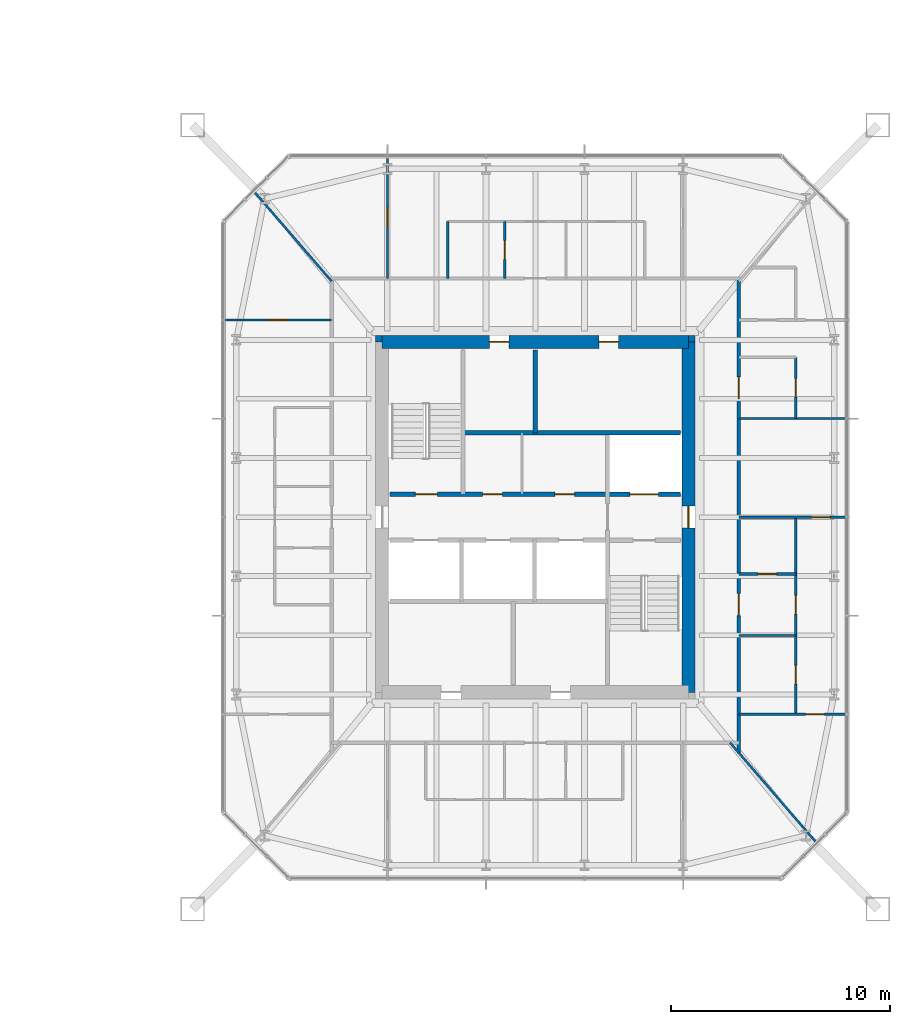
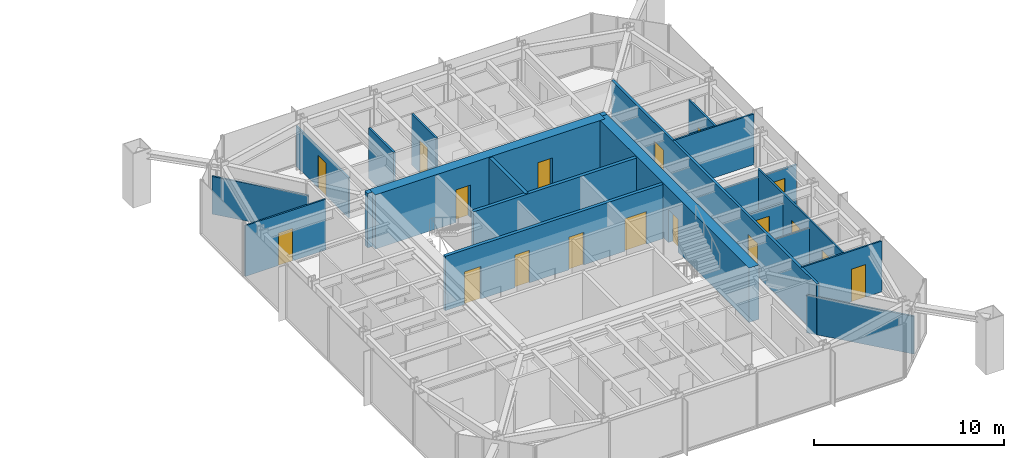
# One storey, part 18 of 25: 21 walls, 18 doors, 18 openings.
"""IFC4 building model written with IfcOpenShell, lengths in metres."""

from ifc_helpers import new_model, si_unit, direction, frame, frame_2d, origin, place, context, subcontext, project, spatial, rectangle, extrude, material, layer, layer_set, type_object, element, fill, save


model = new_model("IFC4")

# Units and contexts
model_context = context("Model", 3, precision=1e-05, world=origin(), true_north=direction((0.0, 1.0)))
body_context = subcontext(model_context, "Body", "Model", "MODEL_VIEW")
ifc_project = project(units=[si_unit("LENGTHUNIT", "METRE"), si_unit("AREAUNIT", "SQUARE_METRE"), si_unit("VOLUMEUNIT", "CUBIC_METRE"), si_unit("PLANEANGLEUNIT", "RADIAN"), si_unit("MASSUNIT", "GRAM", prefix="KILO")], contexts=[model_context])

# Site, building, storey
site_placement = place(None, origin())
site = spatial("IfcSite", under=ifc_project, at=site_placement, CompositionType="ELEMENT")
building_placement = place(site_placement, origin())
building = spatial("IfcBuilding", under=site, at=building_placement, Name="Iwan Alto Co-Living Towers", CompositionType="ELEMENT")
storey_placement = place(building_placement, frame((0.0, 0.0, 105.0)))
storey = spatial("IfcBuildingStorey", under=building, at=storey_placement, Name="L28", CompositionType="ELEMENT", Elevation=105.0)

# Wall, openings, doors
ifc_material_1 = material(Name="Gypsum board")
ifc_layer_1 = layer(ifc_material_1, 0.02490234375, Name="Board", Category="Finish")
ifc_material_2 = material(Name="Steel ASTM A1003 ST33H cold-formed studs", Category="steel")
ifc_layer_2 = layer(ifc_material_2, 0.10009765625, Name="Studs", Category="Framing")
ifc_layer_3 = layer(ifc_material_1, 0.02490234375, Name="Board", Category="Finish")
ifc_layer_set_1 = layer_set([ifc_layer_1, ifc_layer_2, ifc_layer_3], Name="CORRIDOR WALL 150")
wall_type_1 = type_object("IfcWallType", Name="CORRIDOR WALL 150", PredefinedType="PARTITIONING", material=ifc_layer_set_1)
wall_1_placement = place(storey_placement, frame((72.300048828125, -10.76806640625, 0.0), z_axis=(0.0, 0.0, 1.0), x_axis=(0.0, 1.0, 0.0)))
wall_1 = element("IfcWall", 1, at=wall_1_placement, inside=storey, type_object=wall_type_1, Name="Partition L28", PredefinedType="PARTITIONING", context=body_context, shape_type="SweptSolid", body=[
    extrude(rectangle(XDim=21.66796875, YDim=0.14990234375, at=frame_2d((10.833984375, 0.0))), origin(), (0.0, 0.0, 1.0), 3.27001953125),
])
opening_1_placement = place(wall_1_placement, frame((6.26806640625, 0.0, 0.0)))
opening_1 = element("IfcOpeningElement", 2, at=opening_1_placement, cuts=wall_1, Name="Opening D3", PredefinedType="OPENING", context=body_context, shape_type="SweptSolid", body=[
    extrude(rectangle(XDim=1.0, YDim=2.10009765625, at=frame_2d((0.5, 1.050048828125))), frame((0.0, 0.0849609375, 0.0), z_axis=(0.0, -1.0, 0.0), x_axis=(1.0, 0.0, 0.0)), (0.0, 0.0, 1.0), 0.169921875),
])
opening_2_placement = place(wall_1_placement, frame((16.16796875, 0.0, 0.0)))
opening_2 = element("IfcOpeningElement", 3, at=opening_2_placement, cuts=wall_1, Name="Opening D3", PredefinedType="OPENING", context=body_context, shape_type="SweptSolid", body=[
    extrude(rectangle(XDim=1.0, YDim=2.10009765625, at=frame_2d((0.5, 1.050048828125))), frame((0.0, 0.0849609375, 0.0), z_axis=(0.0, -1.0, 0.0), x_axis=(1.0, 0.0, 0.0)), (0.0, 0.0, 1.0), 0.169921875),
])
ifc_material_3 = material(Name="Steel frame with timber leaf", Category="steel")
door_type_1 = type_object("IfcDoorType", Name="FLAT ENTRANCE DOOR FD30S 1000X2100", OperationType="SINGLE_SWING_LEFT", PredefinedType="DOOR", material=ifc_material_3)
door_1_placement = place(opening_1_placement, frame((1.0, 0.0, 0.0), z_axis=(0.0, 0.0, 1.0), x_axis=(-1.0, 0.0, 0.0)))
door_1 = element("IfcDoor", 4, at=door_1_placement, inside=storey, type_object=door_type_1, Name="Apartment foyer door L28", OperationType="SINGLE_SWING_RIGHT", OverallHeight=2.10009765625, OverallWidth=1.0, PredefinedType="DOOR", context=body_context, shape_type="SweptSolid", body=[
    extrude(rectangle(XDim=1.0, YDim=2.10009765625, at=frame_2d((0.5, 1.050048828125))), frame((0.0, 0.02490234375, 0.0), z_axis=(0.0, -1.0, 0.0), x_axis=(1.0, 0.0, 0.0)), (0.0, 0.0, 1.0), 0.050048828125),
])
fill(opening_1, door_1)
door_2_placement = place(opening_2_placement, frame((1.0, 0.0, 0.0), z_axis=(0.0, 0.0, 1.0), x_axis=(-1.0, 0.0, 0.0)))
door_2 = element("IfcDoor", 5, at=door_2_placement, inside=storey, type_object=door_type_1, Name="Apartment foyer door L28", OperationType="SINGLE_SWING_RIGHT", OverallHeight=2.10009765625, OverallWidth=1.0, PredefinedType="DOOR", context=body_context, shape_type="SweptSolid", body=[
    extrude(rectangle(XDim=1.0, YDim=2.10009765625, at=frame_2d((0.5, 1.050048828125))), frame((0.0, 0.02490234375, 0.0), z_axis=(0.0, -1.0, 0.0), x_axis=(1.0, 0.0, 0.0)), (0.0, 0.0, 1.0), 0.050048828125),
])
fill(opening_2, door_2)

# Wall, opening, door
ifc_layer_4 = layer(ifc_material_1, 0.012451171875, Name="Board", Category="Finish")
ifc_layer_5 = layer(ifc_material_2, 0.074951171875, Name="Studs", Category="Framing")
ifc_layer_6 = layer(ifc_material_1, 0.012451171875, Name="Board", Category="Finish")
ifc_layer_set_2 = layer_set([ifc_layer_4, ifc_layer_5, ifc_layer_6], Name="PARTITION 100")
wall_type_2 = type_object("IfcWallType", Name="PARTITION 100", PredefinedType="PARTITIONING", material=ifc_layer_set_2)
wall_2_placement = place(storey_placement, frame((72.300048828125, -9.0, 0.0), z_axis=(0.0, 0.0, 1.0), x_axis=(1.0, 0.0, 0.0)))
wall_2 = element("IfcWall", 6, at=wall_2_placement, inside=storey, type_object=wall_type_2, Name="Partition L28", PredefinedType="PARTITIONING", context=body_context, shape_type="SweptSolid", body=[
    extrude(rectangle(XDim=4.889892578125, YDim=0.10009765625, at=frame_2d((2.44482421875, 0.0))), origin(), (0.0, 0.0, 1.0), 3.27001953125),
])
opening_3_placement = place(wall_2_placement, frame((3.050048828125, 0.0, 0.0)))
opening_3 = element("IfcOpeningElement", 7, at=opening_3_placement, cuts=wall_2, Name="Opening D2", PredefinedType="OPENING", context=body_context, shape_type="SweptSolid", body=[
    extrude(rectangle(XDim=0.85009765625, YDim=2.10009765625, at=frame_2d((0.425048828125, 1.050048828125))), frame((0.0, 0.06005859375, 0.0), z_axis=(0.0, -1.0, 0.0), x_axis=(1.0, 0.0, 0.0)), (0.0, 0.0, 1.0), 0.1201171875),
])
ifc_material_4 = material(Name="Timber leaf in steel frame", Category="steel")
door_type_2 = type_object("IfcDoorType", Name="ROOM DOOR 850X2100", OperationType="SINGLE_SWING_LEFT", PredefinedType="DOOR", material=ifc_material_4)
door_3_placement = place(opening_3_placement, frame((0.85009765625, 0.0, 0.0), z_axis=(0.0, 0.0, 1.0), x_axis=(-1.0, 0.0, 0.0)))
door_3 = element("IfcDoor", 8, at=door_3_placement, inside=storey, type_object=door_type_2, Name="Bedroom door L28", OperationType="SINGLE_SWING_LEFT", OverallHeight=2.10009765625, OverallWidth=0.85009765625, PredefinedType="DOOR", context=body_context, shape_type="SweptSolid", body=[
    extrude(rectangle(XDim=0.85009765625, YDim=2.10009765625, at=frame_2d((0.425048828125, 1.050048828125))), frame((0.0, 0.02490234375, 0.0), z_axis=(0.0, -1.0, 0.0), x_axis=(1.0, 0.0, 0.0)), (0.0, 0.0, 1.0), 0.050048828125),
])
fill(opening_3, door_3)

# Walls
wall_3_placement = place(storey_placement, frame((72.300048828125, -5.39990234375, 0.0), z_axis=(0.0, 0.0, 1.0), x_axis=(1.0, 0.0, 0.0)))
element("IfcWall", 9, at=wall_3_placement, inside=storey, type_object=wall_type_2, Name="Partition L28", PredefinedType="PARTITIONING", context=body_context, shape_type="SweptSolid", body=[
    extrude(rectangle(XDim=2.599853515625, YDim=0.10009765625, at=frame_2d((1.2998046875, 0.0))), origin(), (0.0, 0.0, 1.0), 2.736572265625),
])
wall_4_placement = place(storey_placement, frame((72.300048828125, 4.5, 0.0), z_axis=(0.0, 0.0, 1.0), x_axis=(1.0, 0.0, 0.0)))
element("IfcWall", 10, at=wall_4_placement, inside=storey, type_object=wall_type_2, Name="Partition L28", PredefinedType="PARTITIONING", context=body_context, shape_type="SweptSolid", body=[
    extrude(rectangle(XDim=4.889892578125, YDim=0.10009765625, at=frame_2d((2.44482421875, 0.0))), origin(), (0.0, 0.0, 1.0), 3.27001953125),
])

# Wall, opening, door
wall_5_placement = place(storey_placement, frame((48.81005859375, 9.0, 0.0), z_axis=(0.0, 0.0, 1.0), x_axis=(1.0, 0.0, 0.0)))
wall_5 = element("IfcWall", 11, at=wall_5_placement, inside=storey, type_object=wall_type_2, Name="Partition L28", PredefinedType="PARTITIONING", context=body_context, shape_type="SweptSolid", body=[
    extrude(rectangle(XDim=4.889892578125, YDim=0.10009765625, at=frame_2d((2.44482421875, 0.0))), origin(), (0.0, 0.0, 1.0), 3.27001953125),
])
opening_4_placement = place(wall_5_placement, frame((2.02001953125, 0.0, 0.0)))
opening_4 = element("IfcOpeningElement", 12, at=opening_4_placement, cuts=wall_5, Name="Opening D2", PredefinedType="OPENING", context=body_context, shape_type="SweptSolid", body=[
    extrude(rectangle(XDim=0.85009765625, YDim=2.10009765625, at=frame_2d((0.425048828125, 1.050048828125))), frame((0.0, 0.06005859375, 0.0), z_axis=(0.0, -1.0, 0.0), x_axis=(1.0, 0.0, 0.0)), (0.0, 0.0, 1.0), 0.1201171875),
])
door_4_placement = place(opening_4_placement, frame((0.85009765625, 0.0, 0.0), z_axis=(0.0, 0.0, 1.0), x_axis=(-1.0, 0.0, 0.0)))
door_4 = element("IfcDoor", 13, at=door_4_placement, inside=storey, type_object=door_type_2, Name="Bedroom door L28", OperationType="SINGLE_SWING_LEFT", OverallHeight=2.10009765625, OverallWidth=0.85009765625, PredefinedType="DOOR", context=body_context, shape_type="SweptSolid", body=[
    extrude(rectangle(XDim=0.85009765625, YDim=2.10009765625, at=frame_2d((0.425048828125, 1.050048828125))), frame((0.0, 0.02490234375, 0.0), z_axis=(0.0, -1.0, 0.0), x_axis=(1.0, 0.0, 0.0)), (0.0, 0.0, 1.0), 0.050048828125),
])
fill(opening_4, door_4)

# Wall, openings, doors
wall_6_placement = place(storey_placement, frame((74.89990234375, -9.0, 0.0), z_axis=(0.0, 0.0, 1.0), x_axis=(0.0, 1.0, 0.0)))
wall_6 = element("IfcWall", 14, at=wall_6_placement, inside=storey, type_object=wall_type_2, Name="Partition L28", PredefinedType="PARTITIONING", context=body_context, shape_type="SweptSolid", body=[
    extrude(rectangle(XDim=9.0, YDim=0.10009765625, at=frame_2d((4.5, 0.0))), origin(), (0.0, 0.0, 1.0), 3.27001953125),
])
opening_5_placement = place(wall_6_placement, frame((1.375, 0.0, 0.0)))
opening_5 = element("IfcOpeningElement", 15, at=opening_5_placement, cuts=wall_6, Name="Opening D2", PredefinedType="OPENING", context=body_context, shape_type="SweptSolid", body=[
    extrude(rectangle(XDim=0.85009765625, YDim=2.10009765625, at=frame_2d((0.425048828125, 1.050048828125))), frame((0.0, 0.06005859375, 0.0), z_axis=(0.0, -1.0, 0.0), x_axis=(1.0, 0.0, 0.0)), (0.0, 0.0, 1.0), 0.1201171875),
])
opening_6_placement = place(wall_6_placement, frame((4.574951171875, 0.0, 0.0)))
opening_6 = element("IfcOpeningElement", 16, at=opening_6_placement, cuts=wall_6, Name="Opening D2", PredefinedType="OPENING", context=body_context, shape_type="SweptSolid", body=[
    extrude(rectangle(XDim=0.85009765625, YDim=2.10009765625, at=frame_2d((0.425048828125, 1.050048828125))), frame((0.0, 0.06005859375, 0.0), z_axis=(0.0, -1.0, 0.0), x_axis=(1.0, 0.0, 0.0)), (0.0, 0.0, 1.0), 0.1201171875),
])
door_5_placement = place(opening_5_placement, frame((0.85009765625, 0.0, 0.0), z_axis=(0.0, 0.0, 1.0), x_axis=(-1.0, 0.0, 0.0)))
door_5 = element("IfcDoor", 17, at=door_5_placement, inside=storey, type_object=door_type_2, Name="Kitchen door L28", OperationType="SINGLE_SWING_RIGHT", OverallHeight=2.10009765625, OverallWidth=0.85009765625, PredefinedType="DOOR", context=body_context, shape_type="SweptSolid", body=[
    extrude(rectangle(XDim=0.85009765625, YDim=2.10009765625, at=frame_2d((0.425048828125, 1.050048828125))), frame((0.0, 0.02490234375, 0.0), z_axis=(0.0, -1.0, 0.0), x_axis=(1.0, 0.0, 0.0)), (0.0, 0.0, 1.0), 0.050048828125),
])
fill(opening_5, door_5)
door_6_placement = place(opening_6_placement, frame((0.85009765625, 0.0, 0.0), z_axis=(0.0, 0.0, 1.0), x_axis=(-1.0, 0.0, 0.0)))
door_6 = element("IfcDoor", 18, at=door_6_placement, inside=storey, type_object=door_type_2, Name="Apartment foyer door L28", OperationType="SINGLE_SWING_LEFT", OverallHeight=2.10009765625, OverallWidth=0.85009765625, PredefinedType="DOOR", context=body_context, shape_type="SweptSolid", body=[
    extrude(rectangle(XDim=0.85009765625, YDim=2.10009765625, at=frame_2d((0.425048828125, 1.050048828125))), frame((0.0, 0.02490234375, 0.0), z_axis=(0.0, -1.0, 0.0), x_axis=(1.0, 0.0, 0.0)), (0.0, 0.0, 1.0), 0.050048828125),
])
fill(opening_6, door_6)

# Wall, opening, door
wall_7_placement = place(storey_placement, frame((74.89990234375, 4.5, 0.0), z_axis=(0.0, 0.0, 1.0), x_axis=(0.0, 1.0, 0.0)))
wall_7 = element("IfcWall", 19, at=wall_7_placement, inside=storey, type_object=wall_type_2, Name="Partition L28", PredefinedType="PARTITIONING", context=body_context, shape_type="SweptSolid", body=[
    extrude(rectangle(XDim=2.800048828125, YDim=0.10009765625, at=frame_2d((1.39990234375, 0.0))), origin(), (0.0, 0.0, 1.0), 3.27001953125),
])
opening_7_placement = place(wall_7_placement, frame((0.97509765625, 0.0, 0.0)))
opening_7 = element("IfcOpeningElement", 20, at=opening_7_placement, cuts=wall_7, Name="Opening D2", PredefinedType="OPENING", context=body_context, shape_type="SweptSolid", body=[
    extrude(rectangle(XDim=0.85009765625, YDim=2.10009765625, at=frame_2d((0.425048828125, 1.050048828125))), frame((0.0, 0.06005859375, 0.0), z_axis=(0.0, -1.0, 0.0), x_axis=(1.0, 0.0, 0.0)), (0.0, 0.0, 1.0), 0.1201171875),
])
door_7_placement = place(opening_7_placement, frame((0.85009765625, 0.0, 0.0), z_axis=(0.0, 0.0, 1.0), x_axis=(-1.0, 0.0, 0.0)))
door_7 = element("IfcDoor", 21, at=door_7_placement, inside=storey, type_object=door_type_2, Name="Apartment foyer door L28", OperationType="SINGLE_SWING_RIGHT", OverallHeight=2.10009765625, OverallWidth=0.85009765625, PredefinedType="DOOR", context=body_context, shape_type="SweptSolid", body=[
    extrude(rectangle(XDim=0.85009765625, YDim=2.10009765625, at=frame_2d((0.425048828125, 1.050048828125))), frame((0.0, 0.02490234375, 0.0), z_axis=(0.0, -1.0, 0.0), x_axis=(1.0, 0.0, 0.0)), (0.0, 0.0, 1.0), 0.050048828125),
])
fill(opening_7, door_7)

wall_8_placement = place(storey_placement, frame((56.25, 10.89990234375, 0.0), z_axis=(0.0, 0.0, 1.0), x_axis=(0.0, 1.0, 0.0)))
wall_8 = element("IfcWall", 22, at=wall_8_placement, inside=storey, type_object=wall_type_2, Name="Partition L28", PredefinedType="PARTITIONING", context=body_context, shape_type="SweptSolid", body=[
    extrude(rectangle(XDim=5.5400390625, YDim=0.10009765625, at=frame_2d((2.77001953125, 0.0))), origin(), (0.0, 0.0, 1.0), 2.586669921875),
])
opening_8_placement = place(wall_8_placement, frame((2.344970703125, 0.0, 0.0)))
opening_8 = element("IfcOpeningElement", 23, at=opening_8_placement, cuts=wall_8, Name="Opening D2", PredefinedType="OPENING", context=body_context, shape_type="SweptSolid", body=[
    extrude(rectangle(XDim=0.85009765625, YDim=2.10009765625, at=frame_2d((0.425048828125, 1.050048828125))), frame((0.0, 0.06005859375, 0.0), z_axis=(0.0, -1.0, 0.0), x_axis=(1.0, 0.0, 0.0)), (0.0, 0.0, 1.0), 0.1201171875),
])
door_8_placement = place(opening_8_placement, frame((0.85009765625, 0.0, 0.0), z_axis=(0.0, 0.0, 1.0), x_axis=(-1.0, 0.0, 0.0)))
door_8 = element("IfcDoor", 24, at=door_8_placement, inside=storey, type_object=door_type_2, Name="Bedroom door L28", OperationType="SINGLE_SWING_RIGHT", OverallHeight=2.10009765625, OverallWidth=0.85009765625, PredefinedType="DOOR", context=body_context, shape_type="SweptSolid", body=[
    extrude(rectangle(XDim=0.85009765625, YDim=2.10009765625, at=frame_2d((0.425048828125, 1.050048828125))), frame((0.0, 0.02490234375, 0.0), z_axis=(0.0, -1.0, 0.0), x_axis=(1.0, 0.0, 0.0)), (0.0, 0.0, 1.0), 0.050048828125),
])
fill(opening_8, door_8)

# Walls
wall_9_placement = place(storey_placement, frame((53.700927734375, 10.76806640625, 0.0), z_axis=(0.0, 0.0, 1.0), x_axis=(-0.653623410225, 0.756819950586, 0.0)))
element("IfcWall", 25, at=wall_9_placement, inside=storey, type_object=wall_type_2, Name="Partition L28", PredefinedType="PARTITIONING", context=body_context, shape_type="SweptSolid", body=[
    extrude(rectangle(XDim=5.386962890625, YDim=0.10009765625, at=frame_2d((2.693359375, 0.0))), origin(), (0.0, 0.0, 1.0), 2.42919921875),
])
wall_10_placement = place(storey_placement, frame((75.821044921875, -14.843994140625, 0.0), z_axis=(0.0, 0.0, 1.0), x_axis=(-0.65378286253, 0.756682211144, 0.0)))
element("IfcWall", 26, at=wall_10_placement, inside=storey, type_object=wall_type_2, Name="Partition L28", PredefinedType="PARTITIONING", context=body_context, shape_type="SweptSolid", body=[
    extrude(rectangle(XDim=6.005126953125, YDim=0.10009765625, at=frame_2d((3.00244140625, 0.0))), origin(), (0.0, 0.0, 1.0), 2.42919921875),
])

# Wall, openings, doors
ifc_material_5 = material(Name="Concrete f'c 70 MPa", Category="concrete")
ifc_layer_7 = layer(ifc_material_5, 0.199951171875)
ifc_layer_set_3 = layer_set([ifc_layer_7], Name="SHAFT WALL 200")
wall_type_3 = type_object("IfcWallType", Name="SHAFT WALL 200", PredefinedType="SOLIDWALL", material=ifc_layer_set_3)
wall_11_placement = place(storey_placement, frame((56.360107421875, 1.050048828125, 0.0), z_axis=(0.0, 0.0, 1.0), x_axis=(1.0, 0.0, 0.0)))
wall_11 = element("IfcWall", 27, at=wall_11_placement, inside=storey, type_object=wall_type_3, Name="Shaft wall L28", PredefinedType="SOLIDWALL", context=body_context, shape_type="SweptSolid", body=[
    extrude(rectangle(XDim=13.27978515625, YDim=0.199951171875, at=frame_2d((6.639892578125, 0.0))), origin(), (0.0, 0.0, 1.0), 3.5),
])
opening_9_placement = place(wall_11_placement, frame((1.169921875, 0.0, 0.0)))
opening_9 = element("IfcOpeningElement", 28, at=opening_9_placement, cuts=wall_11, Name="Opening D5", PredefinedType="OPENING", context=body_context, shape_type="SweptSolid", body=[
    extrude(rectangle(XDim=1.0, YDim=2.10009765625, at=frame_2d((0.5, 1.050048828125))), frame((0.0, 0.10986328125, 0.0), z_axis=(0.0, -1.0, 0.0), x_axis=(1.0, 0.0, 0.0)), (0.0, 0.0, 1.0), 0.219970703125),
])
opening_10_placement = place(wall_11_placement, frame((7.5400390625, 0.0, 0.0)))
opening_10 = element("IfcOpeningElement", 29, at=opening_10_placement, cuts=wall_11, Name="Opening D8", PredefinedType="OPENING", context=body_context, shape_type="SweptSolid", body=[
    extrude(rectangle(XDim=0.89990234375, YDim=2.10009765625, at=frame_2d((0.449951171875, 1.050048828125))), frame((0.0, 0.10986328125, 0.0), z_axis=(0.0, -1.0, 0.0), x_axis=(1.0, 0.0, 0.0)), (0.0, 0.0, 1.0), 0.219970703125),
])
opening_11_placement = place(wall_11_placement, frame((4.239990234375, 0.0, 0.0)))
opening_11 = element("IfcOpeningElement", 30, at=opening_11_placement, cuts=wall_11, Name="Opening D15", PredefinedType="OPENING", context=body_context, shape_type="SweptSolid", body=[
    extrude(rectangle(XDim=0.89990234375, YDim=2.10009765625, at=frame_2d((0.449951171875, 1.050048828125))), frame((0.0, 0.10986328125, 0.0), z_axis=(0.0, -1.0, 0.0), x_axis=(1.0, 0.0, 0.0)), (0.0, 0.0, 1.0), 0.219970703125),
])
opening_12_placement = place(wall_11_placement, frame((10.9599609375, 0.0, 0.0)))
opening_12 = element("IfcOpeningElement", 31, at=opening_12_placement, cuts=wall_11, Name="Opening LD2", PredefinedType="OPENING", context=body_context, shape_type="SweptSolid", body=[
    extrude(rectangle(XDim=1.300048828125, YDim=2.10009765625, at=frame_2d((0.64990234375, 1.050048828125))), frame((0.0, 0.10986328125, 0.0), z_axis=(0.0, -1.0, 0.0), x_axis=(1.0, 0.0, 0.0)), (0.0, 0.0, 1.0), 0.219970703125),
])
ifc_material_6 = material(Name="Steel frame with timber leaf", Category="steel")
door_type_3 = type_object("IfcDoorType", Name="CORE ROOM DOOR FD60S 900X2100", OperationType="SINGLE_SWING_LEFT", PredefinedType="DOOR", material=ifc_material_6)
door_9_placement = place(opening_11_placement, origin())
door_9 = element("IfcDoor", 32, at=door_9_placement, inside=storey, type_object=door_type_3, Name="IT room door L28", OperationType="SINGLE_SWING_LEFT", OverallHeight=2.10009765625, OverallWidth=0.89990234375, PredefinedType="DOOR", context=body_context, shape_type="SweptSolid", body=[
    extrude(rectangle(XDim=0.89990234375, YDim=2.10009765625, at=frame_2d((0.449951171875, 1.050048828125))), frame((0.0, 0.02490234375, 0.0), z_axis=(0.0, -1.0, 0.0), x_axis=(1.0, 0.0, 0.0)), (0.0, 0.0, 1.0), 0.050048828125),
])
fill(opening_11, door_9)
ifc_material_7 = material(Name="Steel frame with timber leaf", Category="steel")
door_type_4 = type_object("IfcDoorType", Name="LIFT LANDING DOOR 1300X2100", OperationType="SLIDING_TO_LEFT", PredefinedType="DOOR", material=ifc_material_7)
door_10_placement = place(opening_12_placement, origin())
door_10 = element("IfcDoor", 33, at=door_10_placement, inside=storey, type_object=door_type_4, Name="Lift FL2 landing door L28", OperationType="SLIDING_TO_LEFT", OverallHeight=2.10009765625, OverallWidth=1.300048828125, PredefinedType="DOOR", context=body_context, shape_type="SweptSolid", body=[
    extrude(rectangle(XDim=1.300048828125, YDim=2.10009765625, at=frame_2d((0.64990234375, 1.050048828125))), frame((0.0, 0.02490234375, 0.0), z_axis=(0.0, -1.0, 0.0), x_axis=(1.0, 0.0, 0.0)), (0.0, 0.0, 1.0), 0.050048828125),
])
fill(opening_12, door_10)
ifc_material_8 = material(Name="Steel frame with timber leaf", Category="steel")
door_type_5 = type_object("IfcDoorType", Name="RISER DOOR FD120 900X2100", OperationType="SINGLE_SWING_LEFT", PredefinedType="DOOR", material=ifc_material_8)
door_11_placement = place(opening_10_placement, origin())
door_11 = element("IfcDoor", 34, at=door_11_placement, inside=storey, type_object=door_type_5, Name="Riser room door L28", OperationType="SINGLE_SWING_LEFT", OverallHeight=2.10009765625, OverallWidth=0.89990234375, PredefinedType="DOOR", context=body_context, shape_type="SweptSolid", body=[
    extrude(rectangle(XDim=0.89990234375, YDim=2.10009765625, at=frame_2d((0.449951171875, 1.050048828125))), frame((0.0, 0.02490234375, 0.0), z_axis=(0.0, -1.0, 0.0), x_axis=(1.0, 0.0, 0.0)), (0.0, 0.0, 1.0), 0.050048828125),
])
fill(opening_10, door_11)
ifc_material_9 = material(Name="Steel frame with timber leaf", Category="steel")
door_type_6 = type_object("IfcDoorType", Name="STAIR DOOR FD120S 1000X2100", OperationType="SINGLE_SWING_LEFT", PredefinedType="DOOR", material=ifc_material_9)
door_12_placement = place(opening_9_placement, origin())
door_12 = element("IfcDoor", 35, at=door_12_placement, inside=storey, type_object=door_type_6, Name="Stair S1 door L28", OperationType="SINGLE_SWING_RIGHT", OverallHeight=2.10009765625, OverallWidth=1.0, PredefinedType="DOOR", context=body_context, shape_type="SweptSolid", body=[
    extrude(rectangle(XDim=1.0, YDim=2.10009765625, at=frame_2d((0.5, 1.050048828125))), frame((0.0, 0.02490234375, 0.0), z_axis=(0.0, -1.0, 0.0), x_axis=(1.0, 0.0, 0.0)), (0.0, 0.0, 1.0), 0.050048828125),
])
fill(opening_9, door_12)

# Walls
wall_12_placement = place(storey_placement, frame((59.699951171875, 3.85009765625, 0.0), z_axis=(0.0, 0.0, 1.0), x_axis=(1.0, 0.0, 0.0)))
element("IfcWall", 36, at=wall_12_placement, inside=storey, type_object=wall_type_3, Name="Shaft wall L28", PredefinedType="SOLIDWALL", context=body_context, shape_type="SweptSolid", body=[
    extrude(rectangle(XDim=9.93994140625, YDim=0.199951171875, at=frame_2d((4.969970703125, 0.0))), origin(), (0.0, 0.0, 1.0), 3.5),
])
wall_13_placement = place(storey_placement, frame((63.0, 3.85009765625, 0.0), z_axis=(0.0, 0.0, 1.0), x_axis=(0.0, 1.0, 0.0)))
element("IfcWall", 37, at=wall_13_placement, inside=storey, type_object=wall_type_3, Name="Shaft wall L28", PredefinedType="SOLIDWALL", context=body_context, shape_type="SweptSolid", body=[
    extrude(rectangle(XDim=3.789794921875, YDim=0.199951171875, at=frame_2d((1.89501953125, 0.0))), origin(), (0.0, 0.0, 1.0), 3.5),
])
ifc_material_10 = material(Name="Concrete f'c 70 MPa", Category="concrete")
ifc_layer_8 = layer(ifc_material_10, 0.300048828125)
ifc_layer_set_4 = layer_set([ifc_layer_8], Name="T2 CORE CORNER FILL 300")
wall_type_4 = type_object("IfcWallType", Name="T2 CORE CORNER FILL 300", PredefinedType="SOLIDWALL", material=ifc_layer_set_4)
for number, where, z_axis, x_axis, name in (
    (38, (70.0, 8.14990234375, 0.0), (0.0, 0.0, 1.0), (1.0, 0.0, 0.0), "T2 core corner NE L28"),
    (39, (55.699951171875, 8.14990234375, 0.0), (0.0, 0.0, 1.0), (1.0, 0.0, 0.0), "T2 core corner NW L28"),
):
    element("IfcWall", number, at=place(storey_placement, frame(where, z_axis=z_axis, x_axis=x_axis)), inside=storey, type_object=wall_type_4, Name=name, PredefinedType="SOLIDWALL", context=body_context, shape_type="SweptSolid", body=[
        extrude(rectangle(XDim=0.300048828125, YDim=0.300048828125, at=frame_2d((0.14990234375, 0.0))), origin(), (0.0, 0.0, 1.0), 3.5),
    ])

# Wall, openings, doors
ifc_material_11 = material(Name="Concrete f'c 70 MPa", Category="concrete")
ifc_layer_9 = layer(ifc_material_11, 0.60009765625)
ifc_layer_set_5 = layer_set([ifc_layer_9], Name="T2 CORE WALL 600")
wall_type_5 = type_object("IfcWallType", Name="T2 CORE WALL 600", PredefinedType="SHEAR", material=ifc_layer_set_5)
wall_14_placement = place(storey_placement, frame((70.0, 8.0, 0.0), z_axis=(0.0, 0.0, 1.0), x_axis=(-1.0, 0.0, 0.0)))
wall_14 = element("IfcWall", 40, at=wall_14_placement, inside=storey, type_object=wall_type_5, Name="T2 core wall N L28", PredefinedType="SHEAR", context=body_context, shape_type="SweptSolid", body=[
    extrude(rectangle(XDim=14.0, YDim=0.60009765625, at=frame_2d((7.0, 0.0))), origin(), (0.0, 0.0, 1.0), 3.5),
])
opening_13_placement = place(wall_14_placement, frame((8.199951171875, 0.0, 0.0)))
opening_13 = element("IfcOpeningElement", 41, at=opening_13_placement, cuts=wall_14, Name="Opening D8", PredefinedType="OPENING", context=body_context, shape_type="SweptSolid", body=[
    extrude(rectangle(XDim=0.89990234375, YDim=2.10009765625, at=frame_2d((0.449951171875, 1.050048828125))), frame((0.0, 0.31005859375, 0.0), z_axis=(0.0, -1.0, 0.0), x_axis=(1.0, 0.0, 0.0)), (0.0, 0.0, 1.0), 0.6201171875),
])
opening_14_placement = place(wall_14_placement, frame((3.199951171875, 0.0, 0.0)))
opening_14 = element("IfcOpeningElement", 42, at=opening_14_placement, cuts=wall_14, Name="Opening D8", PredefinedType="OPENING", context=body_context, shape_type="SweptSolid", body=[
    extrude(rectangle(XDim=0.89990234375, YDim=2.10009765625, at=frame_2d((0.449951171875, 1.050048828125))), frame((0.0, 0.31005859375, 0.0), z_axis=(0.0, -1.0, 0.0), x_axis=(1.0, 0.0, 0.0)), (0.0, 0.0, 1.0), 0.6201171875),
])
door_13_placement = place(opening_13_placement, origin())
door_13 = element("IfcDoor", 43, at=door_13_placement, inside=storey, type_object=door_type_5, Name="Electrical riser core door L28", OperationType="SINGLE_SWING_RIGHT", OverallHeight=2.10009765625, OverallWidth=0.89990234375, PredefinedType="DOOR", context=body_context, shape_type="SweptSolid", body=[
    extrude(rectangle(XDim=0.89990234375, YDim=2.10009765625, at=frame_2d((0.449951171875, 1.050048828125))), frame((0.0, 0.02490234375, 0.0), z_axis=(0.0, -1.0, 0.0), x_axis=(1.0, 0.0, 0.0)), (0.0, 0.0, 1.0), 0.050048828125),
])
fill(opening_13, door_13)
door_14_placement = place(opening_14_placement, origin())
door_14 = element("IfcDoor", 44, at=door_14_placement, inside=storey, type_object=door_type_5, Name="Water and drainage riser core door L28", OperationType="SINGLE_SWING_RIGHT", OverallHeight=2.10009765625, OverallWidth=0.89990234375, PredefinedType="DOOR", context=body_context, shape_type="SweptSolid", body=[
    extrude(rectangle(XDim=0.89990234375, YDim=2.10009765625, at=frame_2d((0.449951171875, 1.050048828125))), frame((0.0, 0.02490234375, 0.0), z_axis=(0.0, -1.0, 0.0), x_axis=(1.0, 0.0, 0.0)), (0.0, 0.0, 1.0), 0.050048828125),
])
fill(opening_14, door_14)

# Wall, opening, door
wall_15_placement = place(storey_placement, frame((70.0, -8.0, 0.0), z_axis=(0.0, 0.0, 1.0), x_axis=(0.0, 1.0, 0.0)))
wall_15 = element("IfcWall", 45, at=wall_15_placement, inside=storey, type_object=wall_type_5, Name="T2 core wall E L28", PredefinedType="SHEAR", context=body_context, shape_type="SweptSolid", body=[
    extrude(rectangle(XDim=16.0, YDim=0.60009765625, at=frame_2d((8.0, 0.0))), origin(), (0.0, 0.0, 1.0), 3.5),
])
opening_15_placement = place(wall_15_placement, frame((7.5, 0.0, 0.0)))
opening_15 = element("IfcOpeningElement", 46, at=opening_15_placement, cuts=wall_15, Name="Opening D7", PredefinedType="OPENING", context=body_context, shape_type="SweptSolid", body=[
    extrude(rectangle(XDim=1.0, YDim=2.10009765625, at=frame_2d((0.5, 1.050048828125))), frame((0.0, 0.31005859375, 0.0), z_axis=(0.0, -1.0, 0.0), x_axis=(1.0, 0.0, 0.0)), (0.0, 0.0, 1.0), 0.6201171875),
])
ifc_material_12 = material(Name="Steel frame with timber leaf", Category="steel")
door_type_7 = type_object("IfcDoorType", Name="CORE DOOR FD120S 1000X2100", OperationType="SINGLE_SWING_LEFT", PredefinedType="DOOR", material=ifc_material_12)
door_15_placement = place(opening_15_placement, origin())
door_15 = element("IfcDoor", 47, at=door_15_placement, inside=storey, type_object=door_type_7, Name="Firefighting lobby core door L28", OperationType="SINGLE_SWING_LEFT", OverallHeight=2.10009765625, OverallWidth=1.0, PredefinedType="DOOR", context=body_context, shape_type="SweptSolid", body=[
    extrude(rectangle(XDim=1.0, YDim=2.10009765625, at=frame_2d((0.5, 1.050048828125))), frame((0.0, 0.02490234375, 0.0), z_axis=(0.0, -1.0, 0.0), x_axis=(1.0, 0.0, 0.0)), (0.0, 0.0, 1.0), 0.050048828125),
])
fill(opening_15, door_15)

ifc_material_13 = material(Name="Cement board")
ifc_layer_10 = layer(ifc_material_13, 0.012451171875, Name="Board", Category="Finish")
ifc_layer_11 = layer(ifc_material_2, 0.094970703125, Name="Studs", Category="Framing")
ifc_layer_12 = layer(ifc_material_13, 0.012451171875, Name="Board", Category="Finish")
ifc_layer_set_6 = layer_set([ifc_layer_10, ifc_layer_11, ifc_layer_12], Name="WET AREA PARTITION 120")
wall_type_6 = type_object("IfcWallType", Name="WET AREA PARTITION 120", PredefinedType="PARTITIONING", material=ifc_layer_set_6)
wall_16_placement = place(storey_placement, frame((72.300048828125, -2.60009765625, 0.0), z_axis=(0.0, 0.0, 1.0), x_axis=(1.0, 0.0, 0.0)))
wall_16 = element("IfcWall", 48, at=wall_16_placement, inside=storey, type_object=wall_type_6, Name="Partition L28", PredefinedType="PARTITIONING", context=body_context, shape_type="SweptSolid", body=[
    extrude(rectangle(XDim=2.599853515625, YDim=0.1201171875, at=frame_2d((1.2998046875, 0.0))), origin(), (0.0, 0.0, 1.0), 2.662841796875),
])
opening_16_placement = place(wall_16_placement, frame((0.875, 0.0, 0.0)))
opening_16 = element("IfcOpeningElement", 49, at=opening_16_placement, cuts=wall_16, Name="Opening D2", PredefinedType="OPENING", context=body_context, shape_type="SweptSolid", body=[
    extrude(rectangle(XDim=0.85009765625, YDim=2.10009765625, at=frame_2d((0.425048828125, 1.050048828125))), frame((0.0, 0.070068359375, 0.0), z_axis=(0.0, -1.0, 0.0), x_axis=(1.0, 0.0, 0.0)), (0.0, 0.0, 1.0), 0.14013671875),
])
door_16_placement = place(opening_16_placement, origin())
door_16 = element("IfcDoor", 50, at=door_16_placement, inside=storey, type_object=door_type_2, Name="Bathroom door L28", OperationType="SINGLE_SWING_LEFT", OverallHeight=2.10009765625, OverallWidth=0.85009765625, PredefinedType="DOOR", context=body_context, shape_type="SweptSolid", body=[
    extrude(rectangle(XDim=0.85009765625, YDim=2.10009765625, at=frame_2d((0.425048828125, 1.050048828125))), frame((0.0, 0.02490234375, 0.0), z_axis=(0.0, -1.0, 0.0), x_axis=(1.0, 0.0, 0.0)), (0.0, 0.0, 1.0), 0.050048828125),
])
fill(opening_16, door_16)

wall_17_placement = place(storey_placement, frame((72.300048828125, 0.0, 0.0), z_axis=(0.0, 0.0, 1.0), x_axis=(1.0, 0.0, 0.0)))
wall_17 = element("IfcWall", 51, at=wall_17_placement, inside=storey, type_object=wall_type_6, Name="Partition L28", PredefinedType="PARTITIONING", context=body_context, shape_type="SweptSolid", body=[
    extrude(rectangle(XDim=4.889892578125, YDim=0.1201171875, at=frame_2d((2.44482421875, 0.0))), origin(), (0.0, 0.0, 1.0), 2.736572265625),
])
opening_17_placement = place(wall_17_placement, frame((3.320068359375, 0.0, 0.0)))
opening_17 = element("IfcOpeningElement", 52, at=opening_17_placement, cuts=wall_17, Name="Opening D2", PredefinedType="OPENING", context=body_context, shape_type="SweptSolid", body=[
    extrude(rectangle(XDim=0.85009765625, YDim=2.10009765625, at=frame_2d((0.425048828125, 1.050048828125))), frame((0.0, 0.070068359375, 0.0), z_axis=(0.0, -1.0, 0.0), x_axis=(1.0, 0.0, 0.0)), (0.0, 0.0, 1.0), 0.14013671875),
])
door_17_placement = place(opening_17_placement, origin())
door_17 = element("IfcDoor", 53, at=door_17_placement, inside=storey, type_object=door_type_2, Name="Bedroom door L28", OperationType="SINGLE_SWING_RIGHT", OverallHeight=2.10009765625, OverallWidth=0.85009765625, PredefinedType="DOOR", context=body_context, shape_type="SweptSolid", body=[
    extrude(rectangle(XDim=0.85009765625, YDim=2.10009765625, at=frame_2d((0.425048828125, 1.050048828125))), frame((0.0, 0.02490234375, 0.0), z_axis=(0.0, -1.0, 0.0), x_axis=(1.0, 0.0, 0.0)), (0.0, 0.0, 1.0), 0.050048828125),
])
fill(opening_17, door_17)

wall_18_placement = place(storey_placement, frame((61.60009765625, 10.89990234375, 0.0), z_axis=(0.0, 0.0, 1.0), x_axis=(0.0, 1.0, 0.0)))
wall_18 = element("IfcWall", 54, at=wall_18_placement, inside=storey, type_object=wall_type_6, Name="Partition L28", PredefinedType="PARTITIONING", context=body_context, shape_type="SweptSolid", body=[
    extrude(rectangle(XDim=2.60009765625, YDim=0.1201171875, at=frame_2d((1.300048828125, 0.0))), origin(), (0.0, 0.0, 1.0), 3.27001953125),
])
opening_18_placement = place(wall_18_placement, frame((0.875, 0.0, 0.0)))
opening_18 = element("IfcOpeningElement", 55, at=opening_18_placement, cuts=wall_18, Name="Opening D2", PredefinedType="OPENING", context=body_context, shape_type="SweptSolid", body=[
    extrude(rectangle(XDim=0.85009765625, YDim=2.10009765625, at=frame_2d((0.425048828125, 1.050048828125))), frame((0.0, 0.070068359375, 0.0), z_axis=(0.0, -1.0, 0.0), x_axis=(1.0, 0.0, 0.0)), (0.0, 0.0, 1.0), 0.14013671875),
])
door_18_placement = place(opening_18_placement, origin())
door_18 = element("IfcDoor", 56, at=door_18_placement, inside=storey, type_object=door_type_2, Name="Bathroom door L28", OperationType="SINGLE_SWING_LEFT", OverallHeight=2.10009765625, OverallWidth=0.85009765625, PredefinedType="DOOR", context=body_context, shape_type="SweptSolid", body=[
    extrude(rectangle(XDim=0.85009765625, YDim=2.10009765625, at=frame_2d((0.425048828125, 1.050048828125))), frame((0.0, 0.02490234375, 0.0), z_axis=(0.0, -1.0, 0.0), x_axis=(1.0, 0.0, 0.0)), (0.0, 0.0, 1.0), 0.050048828125),
])
fill(opening_18, door_18)

# Wall
wall_19_placement = place(storey_placement, frame((59.0, 10.89990234375, 0.0), z_axis=(0.0, 0.0, 1.0), x_axis=(0.0, 1.0, 0.0)))
element("IfcWall", 57, at=wall_19_placement, inside=storey, type_object=wall_type_6, Name="Partition L28", PredefinedType="PARTITIONING", context=body_context, shape_type="SweptSolid", body=[
    extrude(rectangle(XDim=2.60009765625, YDim=0.1201171875, at=frame_2d((1.300048828125, 0.0))), origin(), (0.0, 0.0, 1.0), 3.27001953125),
])

save(model, "model.ifc")
